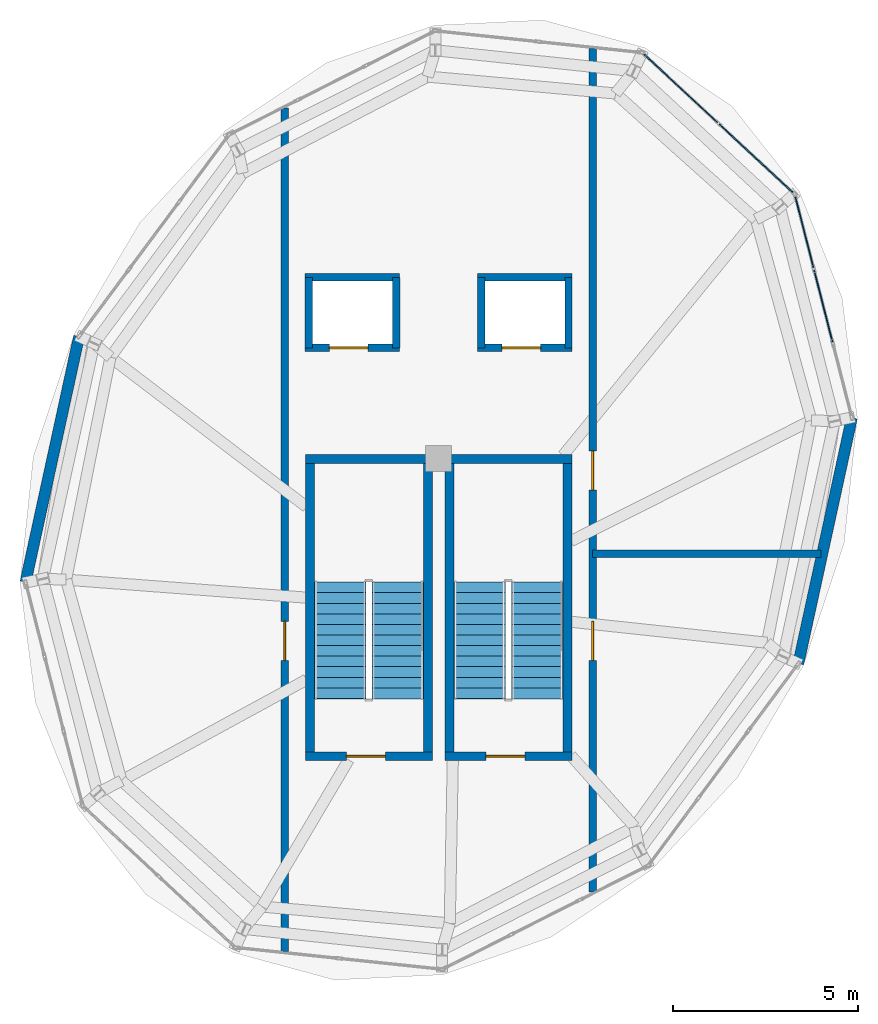
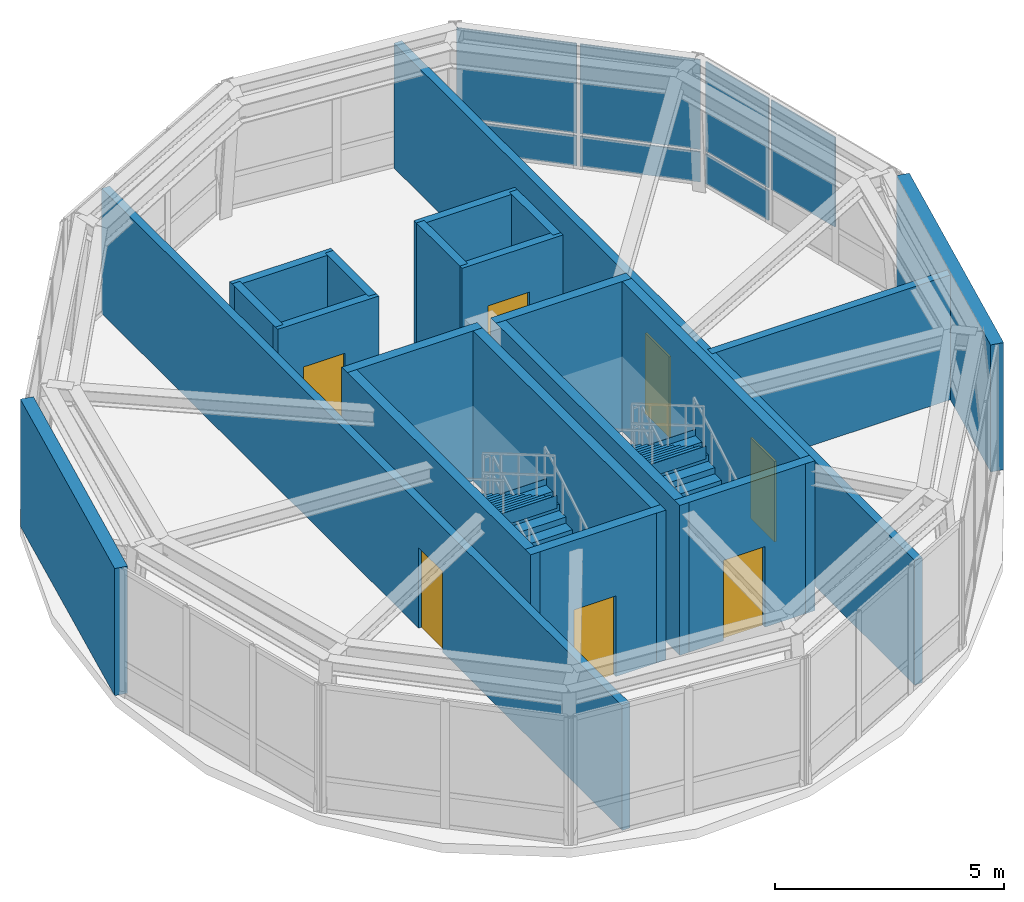
# One storey, part 8 of 9: 21 walls, 7 doors, 7 plates, 4 stair flights, 7 openings, 4 elements without a shape of their own.
"""IFC4 building model written with IfcOpenShell, lengths in metres."""

from ifc_helpers import new_model, si_unit, direction, frame, frame_2d, origin, origin_2d, place, context, subcontext, project, spatial, polyline, rectangle, outline, extrude, material, layer, layer_set, type_object, element, fill, aggregate, save


model = new_model("IFC4")

# Units and contexts
model_context = context("Model", 3, precision=1e-05, world=origin(), true_north=direction((0.0, 1.0)))
body_context = subcontext(model_context, "Body", "Model", "MODEL_VIEW")
ifc_project = project(units=[si_unit("LENGTHUNIT", "METRE"), si_unit("AREAUNIT", "SQUARE_METRE"), si_unit("VOLUMEUNIT", "CUBIC_METRE"), si_unit("PLANEANGLEUNIT", "RADIAN"), si_unit("MASSUNIT", "GRAM", prefix="KILO"), si_unit("THERMODYNAMICTEMPERATUREUNIT", "KELVIN"), si_unit("POWERUNIT", "WATT")], contexts=[model_context])

# Site, building, storey
site_placement = place(None, origin())
site = spatial("IfcSite", under=ifc_project, at=site_placement, CompositionType="ELEMENT")
building_placement = place(site_placement, origin())
building = spatial("IfcBuilding", under=site, at=building_placement, Name="Ocrelia Relay Tower", CompositionType="ELEMENT")
storey_placement = place(building_placement, frame((0.0, 0.0, 300.0)))
storey = spatial("IfcBuildingStorey", under=building, at=storey_placement, Name="L75", CompositionType="ELEMENT", Elevation=300.0)

# Curtain wall, plates
ifc_material_1 = material(Name="Aluminium and solar-control low-E glass", Category="aluminium")
ifc_layer_1 = layer(ifc_material_1, 0.179931640625, Name="Aluminium and solar-control low-E glass")
ifc_layer_set_1 = layer_set([ifc_layer_1], Name="Aluminium and solar-control low-E glass")
curtain_wall_type = type_object("IfcCurtainWallType", Name="CW-SYS-CROWN-PT", PredefinedType="NOTDEFINED", material=ifc_layer_set_1)
curtain_wall_1_placement = place(storey_placement, origin())
curtain_wall_1 = element("IfcCurtainWall", 1, at=curtain_wall_1_placement, inside=storey, type_object=curtain_wall_type, Name="L75 Faceted Glass-Point Crown Curtain Wall 11", PredefinedType="NOTDEFINED")
ifc_material_2 = material(Name="Clear double-glazed low-E glass", Category="glass")
ifc_layer_2 = layer(ifc_material_2, 0.031982421875, Name="Clear double-glazed low-E glass")
ifc_layer_set_2 = layer_set([ifc_layer_2], Name="Clear double-glazed low-E glass")
plate_type = type_object("IfcPlateType", Name="CW-SYS-CROWN-PT-PNL", PredefinedType="CURTAIN_PANEL", material=ifc_layer_set_2)
plate_1_placement = place(storey_placement, frame((44.367431640625, 31.2275390625, 0.932373046875), z_axis=(0.0, 0.0, 1.0), x_axis=(-0.24769012341, 0.968839306988, 0.0)))
plate_1 = element("IfcPlate", 2, at=plate_1_placement, type_object=plate_type, Name="CW-CR panel 2.2", PredefinedType="CURTAIN_PANEL", context=body_context, shape_type="SweptSolid", body=[
    extrude(rectangle(XDim=1.9990234375, YDim=0.031982421875, at=origin_2d()), origin(), (0.0, 0.0, 1.0), 2.392578125),
])
plate_2_placement = place(storey_placement, frame((43.8583984375, 33.218994140625, 0.06494140625), z_axis=(0.0, 0.0, 1.0), x_axis=(-0.24769012341, 0.968839306988, 0.0)))
plate_2 = element("IfcPlate", 3, at=plate_2_placement, type_object=plate_type, Name="CW-CR panel 3.1", PredefinedType="CURTAIN_PANEL", context=body_context, shape_type="SweptSolid", body=[
    extrude(rectangle(XDim=1.961669921875, YDim=0.031982421875, at=origin_2d()), origin(), (0.0, 0.0, 1.0), 0.802490234375),
])
plate_3_placement = place(storey_placement, frame((43.8583984375, 33.218994140625, 0.932373046875), z_axis=(0.0, 0.0, 1.0), x_axis=(-0.24769012341, 0.968839306988, 0.0)))
plate_3 = element("IfcPlate", 4, at=plate_3_placement, type_object=plate_type, Name="CW-CR panel 3.2", PredefinedType="CURTAIN_PANEL", context=body_context, shape_type="SweptSolid", body=[
    extrude(rectangle(XDim=1.961669921875, YDim=0.031982421875, at=origin_2d()), origin(), (0.0, 0.0, 1.0), 2.392578125),
])
aggregate(curtain_wall_1, [plate_1, plate_2, plate_3])

curtain_wall_2_placement = place(storey_placement, origin())
curtain_wall_2 = element("IfcCurtainWall", 5, at=curtain_wall_2_placement, inside=storey, type_object=curtain_wall_type, Name="L75 Faceted Glass-Point Crown Curtain Wall 12", PredefinedType="NOTDEFINED")
plate_4_placement = place(storey_placement, frame((42.554931640625, 35.20947265625, 0.06494140625), z_axis=(0.0, 0.0, 1.0), x_axis=(-0.732698940266, 0.680552909724, 0.0)))
plate_4 = element("IfcPlate", 6, at=plate_4_placement, type_object=plate_type, Name="CW-CR panel 1.1", PredefinedType="CURTAIN_PANEL", context=body_context, shape_type="SweptSolid", body=[
    extrude(rectangle(XDim=2.694091796875, YDim=0.031982421875, at=origin_2d()), origin(), (0.0, 0.0, 1.0), 0.802490234375),
])
plate_5_placement = place(storey_placement, frame((42.554931640625, 35.20947265625, 0.932373046875), z_axis=(0.0, 0.0, 1.0), x_axis=(-0.732698940266, 0.680552909724, 0.0)))
plate_5 = element("IfcPlate", 7, at=plate_5_placement, type_object=plate_type, Name="CW-CR panel 1.2", PredefinedType="CURTAIN_PANEL", context=body_context, shape_type="SweptSolid", body=[
    extrude(rectangle(XDim=2.694091796875, YDim=0.031982421875, at=origin_2d()), origin(), (0.0, 0.0, 1.0), 2.392578125),
])
plate_6_placement = place(storey_placement, frame((40.526123046875, 37.093994140625, 0.06494140625), z_axis=(0.0, 0.0, 1.0), x_axis=(-0.732698940266, 0.680552909724, 0.0)))
plate_6 = element("IfcPlate", 8, at=plate_6_placement, type_object=plate_type, Name="CW-CR panel 2.1", PredefinedType="CURTAIN_PANEL", context=body_context, shape_type="SweptSolid", body=[
    extrude(rectangle(XDim=2.694091796875, YDim=0.031982421875, at=origin_2d()), origin(), (0.0, 0.0, 1.0), 0.802490234375),
])
plate_7_placement = place(storey_placement, frame((40.526123046875, 37.093994140625, 0.932373046875), z_axis=(0.0, 0.0, 1.0), x_axis=(-0.732698940266, 0.680552909724, 0.0)))
plate_7 = element("IfcPlate", 9, at=plate_7_placement, type_object=plate_type, Name="CW-CR panel 2.2", PredefinedType="CURTAIN_PANEL", context=body_context, shape_type="SweptSolid", body=[
    extrude(rectangle(XDim=2.694091796875, YDim=0.031982421875, at=origin_2d()), origin(), (0.0, 0.0, 1.0), 2.392578125),
])
aggregate(curtain_wall_2, [plate_4, plate_5, plate_6, plate_7])

# Wall, opening, door
ifc_material_3 = material(Name="Concrete C50/60", Category="concrete")
ifc_layer_3 = layer(ifc_material_3, 0.239990234375, Name="Concrete C50/60")
ifc_layer_set_3 = layer_set([ifc_layer_3], Name="Concrete C50/60")
wall_type_1 = type_object("IfcWallType", Name="CW-STAIR-240", PredefinedType="SHEAR", material=ifc_layer_set_3)
wall_1_placement = place(storey_placement, frame((30.412109375, 19.092041015625, 0.0), z_axis=(0.0, 0.0, 1.0), x_axis=(1.0, 0.0, 0.0)))
wall_1 = element("IfcWall", 10, at=wall_1_placement, inside=storey, type_object=wall_type_1, Name="L75 ST4 Structural Shaft S Wall", PredefinedType="SHEAR", context=body_context, shape_type="SweptSolid", body=[
    extrude(rectangle(XDim=3.415771484375, YDim=0.239990234375, at=frame_2d((1.7080078125, 0.0))), origin(), (0.0, 0.0, 1.0), 4.0),
])
opening_1_placement = place(wall_1_placement, frame((1.10009765625, 0.0, 0.0)))
opening_1 = element("IfcOpeningElement", 11, at=opening_1_placement, cuts=wall_1, Name="Opening D-FD90", PredefinedType="OPENING", context=body_context, shape_type="SweptSolid", body=[
    extrude(rectangle(XDim=1.050048828125, YDim=2.14990234375, at=frame_2d((0.52490234375, 1.074951171875))), frame((0.0, 0.1298828125, 0.0), z_axis=(0.0, -1.0, 0.0), x_axis=(1.0, 0.0, 0.0)), (0.0, 0.0, 1.0), 0.260009765625),
])
ifc_material_4 = material(Name="Steel S355 90-min fire door", Category="steel")
door_type_1 = type_object("IfcDoorType", Name="DR-STAIR-FD90-1050", OperationType="NOTDEFINED", PredefinedType="DOOR", material=ifc_material_4)
door_1_placement = place(opening_1_placement, origin())
door_1 = element("IfcDoor", 12, at=door_1_placement, inside=storey, type_object=door_type_1, Name="L75 Crown Stair ST4 Fire Door", OperationType="SINGLE_SWING_LEFT", OverallHeight=2.14990234375, OverallWidth=1.050048828125, PredefinedType="DOOR", context=body_context, shape_type="SweptSolid", body=[
    extrude(rectangle(XDim=1.050048828125, YDim=2.14990234375, at=frame_2d((0.52490234375, 1.074951171875))), frame((0.0, 0.02490234375, 0.0), z_axis=(0.0, -1.0, 0.0), x_axis=(1.0, 0.0, 0.0)), (0.0, 0.0, 1.0), 0.050048828125),
])
fill(opening_1, door_1)

# Walls
wall_2_placement = place(storey_placement, frame((30.412109375, 27.10791015625, 0.0), z_axis=(0.0, 0.0, 1.0), x_axis=(1.0, 0.0, 0.0)))
element("IfcWall", 13, at=wall_2_placement, inside=storey, type_object=wall_type_1, Name="L75 ST4 Structural Shaft N Wall", PredefinedType="SHEAR", context=body_context, shape_type="SweptSolid", body=[
    extrude(rectangle(XDim=3.415771484375, YDim=0.239990234375, at=frame_2d((1.7080078125, 0.0))), origin(), (0.0, 0.0, 1.0), 4.0),
])
for number, where, z_axis, x_axis, name in (
    (14, (30.531982421875, 18.971923828125, 0.0), (0.0, 0.0, 1.0), (0.0, 1.0, 0.0), "L75 ST4 Structural Shaft W Wall"),
    (15, (33.7080078125, 18.971923828125, 0.0), (0.0, 0.0, 1.0), (0.0, 1.0, 0.0), "L75 ST4 Structural Shaft E Wall"),
):
    element("IfcWall", number, at=place(storey_placement, frame(where, z_axis=z_axis, x_axis=x_axis)), inside=storey, type_object=wall_type_1, Name=name, PredefinedType="SHEAR", context=body_context, shape_type="SweptSolid", body=[
        extrude(rectangle(XDim=8.256103515625, YDim=0.239990234375, at=frame_2d((4.1279296875, 0.0))), origin(), (0.0, 0.0, 1.0), 4.0),
    ])

# Wall, opening, door
wall_3_placement = place(storey_placement, frame((34.172119140625, 19.092041015625, 0.0), z_axis=(0.0, 0.0, 1.0), x_axis=(1.0, 0.0, 0.0)))
wall_3 = element("IfcWall", 16, at=wall_3_placement, inside=storey, type_object=wall_type_1, Name="L75 ST5 Structural Shaft S Wall", PredefinedType="SHEAR", context=body_context, shape_type="SweptSolid", body=[
    extrude(rectangle(XDim=3.415771484375, YDim=0.239990234375, at=frame_2d((1.7080078125, 0.0))), origin(), (0.0, 0.0, 1.0), 4.0),
])
opening_2_placement = place(wall_3_placement, frame((1.10009765625, 0.0, 0.0)))
opening_2 = element("IfcOpeningElement", 17, at=opening_2_placement, cuts=wall_3, Name="Opening D-FD90", PredefinedType="OPENING", context=body_context, shape_type="SweptSolid", body=[
    extrude(rectangle(XDim=1.050048828125, YDim=2.14990234375, at=frame_2d((0.52490234375, 1.074951171875))), frame((0.0, 0.1298828125, 0.0), z_axis=(0.0, -1.0, 0.0), x_axis=(1.0, 0.0, 0.0)), (0.0, 0.0, 1.0), 0.260009765625),
])
door_2_placement = place(opening_2_placement, origin())
door_2 = element("IfcDoor", 18, at=door_2_placement, inside=storey, type_object=door_type_1, Name="L75 Crown Stair ST5 Fire Door", OperationType="SINGLE_SWING_RIGHT", OverallHeight=2.14990234375, OverallWidth=1.050048828125, PredefinedType="DOOR", context=body_context, shape_type="SweptSolid", body=[
    extrude(rectangle(XDim=1.050048828125, YDim=2.14990234375, at=frame_2d((0.52490234375, 1.074951171875))), frame((0.0, 0.02490234375, 0.0), z_axis=(0.0, -1.0, 0.0), x_axis=(1.0, 0.0, 0.0)), (0.0, 0.0, 1.0), 0.050048828125),
])
fill(opening_2, door_2)

# Walls
wall_4_placement = place(storey_placement, frame((34.172119140625, 27.10791015625, 0.0), z_axis=(0.0, 0.0, 1.0), x_axis=(1.0, 0.0, 0.0)))
element("IfcWall", 19, at=wall_4_placement, inside=storey, type_object=wall_type_1, Name="L75 ST5 Structural Shaft N Wall", PredefinedType="SHEAR", context=body_context, shape_type="SweptSolid", body=[
    extrude(rectangle(XDim=3.415771484375, YDim=0.239990234375, at=frame_2d((1.7080078125, 0.0))), origin(), (0.0, 0.0, 1.0), 4.0),
])
for number, where, z_axis, x_axis, name in (
    (20, (34.2919921875, 18.971923828125, 0.0), (0.0, 0.0, 1.0), (0.0, 1.0, 0.0), "L75 ST5 Structural Shaft W Wall"),
    (21, (37.468017578125, 18.971923828125, 0.0), (0.0, 0.0, 1.0), (0.0, 1.0, 0.0), "L75 ST5 Structural Shaft E Wall"),
):
    element("IfcWall", number, at=place(storey_placement, frame(where, z_axis=z_axis, x_axis=x_axis)), inside=storey, type_object=wall_type_1, Name=name, PredefinedType="SHEAR", context=body_context, shape_type="SweptSolid", body=[
        extrude(rectangle(XDim=8.256103515625, YDim=0.239990234375, at=frame_2d((4.1279296875, 0.0))), origin(), (0.0, 0.0, 1.0), 4.0),
    ])
ifc_material_5 = material(Name="Precast concrete C40/50 with oxide terracotta", Category="masonry")
ifc_layer_4 = layer(ifc_material_5, 0.300048828125, Name="Precast concrete C40/50 with oxide terracotta")
ifc_layer_set_4 = layer_set([ifc_layer_4], Name="Precast concrete C40/50 with oxide terracotta")
wall_type_2 = type_object("IfcWallType", Name="W-EXT-TERR-300", PredefinedType="SOLIDWALL", material=ifc_layer_set_4)
for number, where, z_axis, x_axis, name in (
    (22, (24.30517578125, 30.407958984375, 0.0), (0.0, 0.0, 1.0), (-0.21298449836, -0.97705557849, 0.0), "L75 Crown Braced Terracotta Spine Wall 04"),
    (23, (43.69482421875, 21.592041015625, 0.0), (0.0, 0.0, 1.0), (0.21298449836, 0.97705557849, 0.0), "L75 Crown Braced Terracotta Spine Wall 10"),
):
    element("IfcWall", number, at=place(storey_placement, frame(where, z_axis=z_axis, x_axis=x_axis)), inside=storey, type_object=wall_type_2, Name=name, PredefinedType="SOLIDWALL", context=body_context, shape_type="SweptSolid", body=[
        extrude(rectangle(XDim=6.77685546875, YDim=0.300048828125, at=frame_2d((3.388427734375, 0.0))), origin(), (0.0, 0.0, 1.0), 3.389892578125),
    ])

# Wall, opening, door
ifc_layer_5 = layer(ifc_material_3, 0.199951171875, Name="Concrete C50/60")
ifc_layer_set_5 = layer_set([ifc_layer_5], Name="Concrete C50/60")
wall_type_3 = type_object("IfcWallType", Name="W-SHAFT-EI120-200", PredefinedType="SOLIDWALL", material=ifc_layer_set_5)
wall_5_placement = place(storey_placement, frame((30.39990234375, 30.10009765625, 0.0), z_axis=(0.0, 0.0, 1.0), x_axis=(1.0, 0.0, 0.0)))
wall_5 = element("IfcWall", 24, at=wall_5_placement, inside=storey, type_object=wall_type_3, Name="L75 FFL1 South Wall", PredefinedType="SOLIDWALL", context=body_context, shape_type="SweptSolid", body=[
    extrude(rectangle(XDim=2.550048828125, YDim=0.199951171875, at=frame_2d((1.27490234375, 0.0))), origin(), (0.0, 0.0, 1.0), 3.330078125),
])
opening_3_placement = place(wall_5_placement, frame((0.64990234375, 0.0, 0.0)))
opening_3 = element("IfcOpeningElement", 25, at=opening_3_placement, cuts=wall_5, Name="Opening LD-FFL1", PredefinedType="OPENING", context=body_context, shape_type="SweptSolid", body=[
    extrude(rectangle(XDim=1.050048828125, YDim=2.10009765625, at=frame_2d((0.52490234375, 1.050048828125))), frame((0.0, 0.10986328125, 0.0), z_axis=(0.0, -1.0, 0.0), x_axis=(1.0, 0.0, 0.0)), (0.0, 0.0, 1.0), 0.219970703125),
])
ifc_material_6 = material(Name="Brushed stainless steel S355 lift landing door", Category="steel")
door_type_2 = type_object("IfcDoorType", Name="DR-LIFT-LAND-1050", OperationType="DOUBLE_DOOR_SLIDING", PredefinedType="USERDEFINED", material=ifc_material_6)
door_3_placement = place(opening_3_placement, origin())
door_3 = element("IfcDoor", 26, at=door_3_placement, inside=storey, type_object=door_type_2, Name="L75 FFL1 Sliding Landing Door", ObjectType="LANDING DOOR", OperationType="DOUBLE_DOOR_SLIDING", OverallHeight=2.10009765625, OverallWidth=1.050048828125, PredefinedType="USERDEFINED", context=body_context, shape_type="SweptSolid", body=[
    extrude(rectangle(XDim=1.050048828125, YDim=2.10009765625, at=frame_2d((0.52490234375, 1.050048828125))), frame((0.0, 0.02490234375, 0.0), z_axis=(0.0, -1.0, 0.0), x_axis=(1.0, 0.0, 0.0)), (0.0, 0.0, 1.0), 0.050048828125),
])
fill(opening_3, door_3)

# Walls
wall_6_placement = place(storey_placement, frame((30.39990234375, 32.0, 0.0), z_axis=(0.0, 0.0, 1.0), x_axis=(1.0, 0.0, 0.0)))
element("IfcWall", 27, at=wall_6_placement, inside=storey, type_object=wall_type_3, Name="L75 FFL1 N Wall", PredefinedType="SOLIDWALL", context=body_context, shape_type="SweptSolid", body=[
    extrude(rectangle(XDim=2.550048828125, YDim=0.199951171875, at=frame_2d((1.27490234375, 0.0))), origin(), (0.0, 0.0, 1.0), 3.330078125),
])
for number, where, z_axis, x_axis, name in (
    (28, (30.5, 30.10009765625, 0.0), (0.0, 0.0, 1.0), (0.0, 1.0, 0.0), "L75 FFL1 W Wall"),
    (29, (32.85009765625, 30.10009765625, 0.0), (0.0, 0.0, 1.0), (0.0, 1.0, 0.0), "L75 FFL1 E Wall"),
):
    element("IfcWall", number, at=place(storey_placement, frame(where, z_axis=z_axis, x_axis=x_axis)), inside=storey, type_object=wall_type_3, Name=name, PredefinedType="SOLIDWALL", context=body_context, shape_type="SweptSolid", body=[
        extrude(rectangle(XDim=1.89990234375, YDim=0.199951171875, at=frame_2d((0.949951171875, 0.0))), origin(), (0.0, 0.0, 1.0), 3.330078125),
    ])

# Wall, opening, door
wall_7_placement = place(storey_placement, frame((35.050048828125, 30.10009765625, 0.0), z_axis=(0.0, 0.0, 1.0), x_axis=(1.0, 0.0, 0.0)))
wall_7 = element("IfcWall", 30, at=wall_7_placement, inside=storey, type_object=wall_type_3, Name="L75 FFL2 South Wall", PredefinedType="SOLIDWALL", context=body_context, shape_type="SweptSolid", body=[
    extrude(rectangle(XDim=2.550048828125, YDim=0.199951171875, at=frame_2d((1.27490234375, 0.0))), origin(), (0.0, 0.0, 1.0), 3.330078125),
])
opening_4_placement = place(wall_7_placement, frame((0.64990234375, 0.0, 0.0)))
opening_4 = element("IfcOpeningElement", 31, at=opening_4_placement, cuts=wall_7, Name="Opening LD-FFL2", PredefinedType="OPENING", context=body_context, shape_type="SweptSolid", body=[
    extrude(rectangle(XDim=1.050048828125, YDim=2.10009765625, at=frame_2d((0.52490234375, 1.050048828125))), frame((0.0, 0.10986328125, 0.0), z_axis=(0.0, -1.0, 0.0), x_axis=(1.0, 0.0, 0.0)), (0.0, 0.0, 1.0), 0.219970703125),
])
door_4_placement = place(opening_4_placement, origin())
door_4 = element("IfcDoor", 32, at=door_4_placement, inside=storey, type_object=door_type_2, Name="L75 FFL2 Sliding Landing Door", ObjectType="LANDING DOOR", OperationType="DOUBLE_DOOR_SLIDING", OverallHeight=2.10009765625, OverallWidth=1.050048828125, PredefinedType="USERDEFINED", context=body_context, shape_type="SweptSolid", body=[
    extrude(rectangle(XDim=1.050048828125, YDim=2.10009765625, at=frame_2d((0.52490234375, 1.050048828125))), frame((0.0, 0.02490234375, 0.0), z_axis=(0.0, -1.0, 0.0), x_axis=(1.0, 0.0, 0.0)), (0.0, 0.0, 1.0), 0.050048828125),
])
fill(opening_4, door_4)

# Walls
wall_8_placement = place(storey_placement, frame((35.050048828125, 32.0, 0.0), z_axis=(0.0, 0.0, 1.0), x_axis=(1.0, 0.0, 0.0)))
element("IfcWall", 33, at=wall_8_placement, inside=storey, type_object=wall_type_3, Name="L75 FFL2 N Wall", PredefinedType="SOLIDWALL", context=body_context, shape_type="SweptSolid", body=[
    extrude(rectangle(XDim=2.550048828125, YDim=0.199951171875, at=frame_2d((1.27490234375, 0.0))), origin(), (0.0, 0.0, 1.0), 3.330078125),
])
for number, where, z_axis, x_axis, name in (
    (34, (35.14990234375, 30.10009765625, 0.0), (0.0, 0.0, 1.0), (0.0, 1.0, 0.0), "L75 FFL2 W Wall"),
    (35, (37.5, 30.10009765625, 0.0), (0.0, 0.0, 1.0), (0.0, 1.0, 0.0), "L75 FFL2 E Wall"),
):
    element("IfcWall", number, at=place(storey_placement, frame(where, z_axis=z_axis, x_axis=x_axis)), inside=storey, type_object=wall_type_3, Name=name, PredefinedType="SOLIDWALL", context=body_context, shape_type="SweptSolid", body=[
        extrude(rectangle(XDim=1.89990234375, YDim=0.199951171875, at=frame_2d((0.949951171875, 0.0))), origin(), (0.0, 0.0, 1.0), 3.330078125),
    ])

# Wall, opening, door
wall_9_placement = place(storey_placement, frame((29.85009765625, 13.826416015625, 0.0), z_axis=(0.0, 0.0, 1.0), x_axis=(0.0, 1.0, 0.0)))
wall_9 = element("IfcWall", 36, at=wall_9_placement, inside=storey, type_object=wall_type_3, Name="L75 Crown Lobby West Wall", PredefinedType="SOLIDWALL", context=body_context, shape_type="SweptSolid", body=[
    extrude(rectangle(XDim=22.74755859375, YDim=0.199951171875, at=frame_2d((11.373779296875, 0.0))), origin(), (0.0, 0.0, 1.0), 3.330078125),
])
opening_5_placement = place(wall_9_placement, frame((7.848388671875, 0.0, 0.0)))
opening_5 = element("IfcOpeningElement", 37, at=opening_5_placement, cuts=wall_9, Name="Opening D-FD90", PredefinedType="OPENING", context=body_context, shape_type="SweptSolid", body=[
    extrude(rectangle(XDim=1.050048828125, YDim=2.14990234375, at=frame_2d((0.52490234375, 1.074951171875))), frame((0.0, 0.10986328125, 0.0), z_axis=(0.0, -1.0, 0.0), x_axis=(1.0, 0.0, 0.0)), (0.0, 0.0, 1.0), 0.219970703125),
])
door_5_placement = place(opening_5_placement, origin())
door_5 = element("IfcDoor", 38, at=door_5_placement, inside=storey, type_object=door_type_1, Name="L75 West Chiller Plant Door", OperationType="SINGLE_SWING_LEFT", OverallHeight=2.14990234375, OverallWidth=1.050048828125, PredefinedType="DOOR", context=body_context, shape_type="SweptSolid", body=[
    extrude(rectangle(XDim=1.050048828125, YDim=2.14990234375, at=frame_2d((0.52490234375, 1.074951171875))), frame((0.0, 0.02490234375, 0.0), z_axis=(0.0, -1.0, 0.0), x_axis=(1.0, 0.0, 0.0)), (0.0, 0.0, 1.0), 0.050048828125),
])
fill(opening_5, door_5)

# Wall, openings, doors
wall_10_placement = place(storey_placement, frame((38.14990234375, 15.426025390625, 0.0), z_axis=(0.0, 0.0, 1.0), x_axis=(0.0, 1.0, 0.0)))
wall_10 = element("IfcWall", 39, at=wall_10_placement, inside=storey, type_object=wall_type_3, Name="L75 Crown Lobby East Wall", PredefinedType="SOLIDWALL", context=body_context, shape_type="SweptSolid", body=[
    extrude(rectangle(XDim=22.74755859375, YDim=0.199951171875, at=frame_2d((11.373779296875, 0.0))), origin(), (0.0, 0.0, 1.0), 3.330078125),
])
opening_6_placement = place(wall_10_placement, frame((6.2490234375, 0.0, 0.0)))
opening_6 = element("IfcOpeningElement", 40, at=opening_6_placement, cuts=wall_10, Name="Opening D-FD90", PredefinedType="OPENING", context=body_context, shape_type="SweptSolid", body=[
    extrude(rectangle(XDim=1.050048828125, YDim=2.14990234375, at=frame_2d((0.52490234375, 1.074951171875))), frame((0.0, 0.10986328125, 0.0), z_axis=(0.0, -1.0, 0.0), x_axis=(1.0, 0.0, 0.0)), (0.0, 0.0, 1.0), 0.219970703125),
])
opening_7_placement = place(wall_10_placement, frame((10.84912109375, 0.0, 0.0)))
opening_7 = element("IfcOpeningElement", 41, at=opening_7_placement, cuts=wall_10, Name="Opening D-FD90", PredefinedType="OPENING", context=body_context, shape_type="SweptSolid", body=[
    extrude(rectangle(XDim=1.050048828125, YDim=2.14990234375, at=frame_2d((0.52490234375, 1.074951171875))), frame((0.0, 0.10986328125, 0.0), z_axis=(0.0, -1.0, 0.0), x_axis=(1.0, 0.0, 0.0)), (0.0, 0.0, 1.0), 0.219970703125),
])
door_6_placement = place(opening_6_placement, origin())
door_6 = element("IfcDoor", 42, at=door_6_placement, inside=storey, type_object=door_type_1, Name="L75 East Switchgear Plant Door", OperationType="SINGLE_SWING_RIGHT", OverallHeight=2.14990234375, OverallWidth=1.050048828125, PredefinedType="DOOR", context=body_context, shape_type="SweptSolid", body=[
    extrude(rectangle(XDim=1.050048828125, YDim=2.14990234375, at=frame_2d((0.52490234375, 1.074951171875))), frame((0.0, 0.02490234375, 0.0), z_axis=(0.0, -1.0, 0.0), x_axis=(1.0, 0.0, 0.0)), (0.0, 0.0, 1.0), 0.050048828125),
])
fill(opening_6, door_6)
door_7_placement = place(opening_7_placement, origin())
door_7 = element("IfcDoor", 43, at=door_7_placement, inside=storey, type_object=door_type_1, Name="L75 Waveguide Pressurisation Plant Door", OperationType="SINGLE_SWING_LEFT", OverallHeight=2.14990234375, OverallWidth=1.050048828125, PredefinedType="DOOR", context=body_context, shape_type="SweptSolid", body=[
    extrude(rectangle(XDim=1.050048828125, YDim=2.14990234375, at=frame_2d((0.52490234375, 1.074951171875))), frame((0.0, 0.02490234375, 0.0), z_axis=(0.0, -1.0, 0.0), x_axis=(1.0, 0.0, 0.0)), (0.0, 0.0, 1.0), 0.050048828125),
])
fill(opening_7, door_7)

# Wall
wall_11_placement = place(storey_placement, frame((38.14990234375, 24.550048828125, 0.0), z_axis=(0.0, 0.0, 1.0), x_axis=(1.0, 0.0, 0.0)))
element("IfcWall", 44, at=wall_11_placement, inside=storey, type_object=wall_type_3, Name="L75 East Waveguide Plant Partition", PredefinedType="SOLIDWALL", context=body_context, shape_type="SweptSolid", body=[
    extrude(rectangle(XDim=6.16015625, YDim=0.199951171875, at=frame_2d((3.080078125, 0.0))), origin(), (0.0, 0.0, 1.0), 3.330078125),
])

# Stair, stair flights
stair_type = type_object("IfcStairType", Name="ST-DL-1400-R167", PredefinedType="HALF_TURN_STAIR", material=ifc_material_3)
stair_1_placement = place(storey_placement, origin())
stair_1 = element("IfcStair", 45, at=stair_1_placement, inside=storey, type_object=stair_type, Name="L75 Crown North-West Stair ST4", PredefinedType="HALF_TURN_STAIR")
stair_flight_type = type_object("IfcStairFlightType", Name="STF-DL-1400-R167", PredefinedType="STRAIGHT", material=ifc_material_3)
stair_flight_1_placement = place(storey_placement, frame((32.89990234375, 20.64990234375, 0.0), z_axis=(0.0, 0.0, 1.0), x_axis=(0.0, 1.0, 0.0)))
stair_flight_1 = element("IfcStairFlight", 46, at=stair_flight_1_placement, type_object=stair_flight_type, Name="ST4 flight 1", NumberOfRisers=12, NumberOfTreads=11, PredefinedType="STRAIGHT", RiserHeight=0.166666667, TreadLength=0.285, context=body_context, shape_type="SweptSolid", body=[
    extrude(outline(polyline([(-0.008056640625, 0.0), (-0.008056640625, 0.166748046875), (0.0, 0.166748046875), (0.284912109375, 0.166748046875), (0.284912109375, 0.333251953125), (0.570068359375, 0.333251953125), (0.570068359375, 0.5), (0.85498046875, 0.5), (0.85498046875, 0.666748046875), (1.139892578125, 0.666748046875), (1.139892578125, 0.833251953125), (1.425048828125, 0.833251953125), (1.425048828125, 1.0), (1.7099609375, 1.0), (1.7099609375, 1.166748046875), (1.9951171875, 1.166748046875), (1.9951171875, 1.333251953125), (2.280029296875, 1.333251953125), (2.280029296875, 1.5), (2.56494140625, 1.5), (2.56494140625, 1.666748046875), (2.85009765625, 1.666748046875), (2.85009765625, 1.833251953125), (3.135009765625, 1.833251953125), (3.135009765625, 2.0), (3.14306640625, 2.0), (3.14306640625, 1.65966796875), (0.296875, 0.0), (-0.008056640625, 0.0)])), frame((0.0, 0.699951171875, 0.0), z_axis=(0.0, -1.0, 0.0), x_axis=(1.0, 0.0, 0.0)), (0.0, 0.0, 1.0), 1.39990234375),
])
stair_flight_2_placement = place(storey_placement, frame((31.340087890625, 23.784912109375, 2.0), z_axis=(0.0, 0.0, 1.0), x_axis=(0.0, -1.0, 0.0)))
stair_flight_2 = element("IfcStairFlight", 47, at=stair_flight_2_placement, type_object=stair_flight_type, Name="ST4 flight 2", NumberOfRisers=12, NumberOfTreads=11, PredefinedType="STRAIGHT", RiserHeight=0.166666667, TreadLength=0.285, context=body_context, shape_type="SweptSolid", body=[
    extrude(outline(polyline([(-0.008056640625, 0.0), (-0.008056640625, 0.166748046875), (0.0, 0.166748046875), (0.284912109375, 0.166748046875), (0.284912109375, 0.333251953125), (0.570068359375, 0.333251953125), (0.570068359375, 0.5), (0.85498046875, 0.5), (0.85498046875, 0.666748046875), (1.139892578125, 0.666748046875), (1.139892578125, 0.833251953125), (1.425048828125, 0.833251953125), (1.425048828125, 1.0), (1.7099609375, 1.0), (1.7099609375, 1.166748046875), (1.9951171875, 1.166748046875), (1.9951171875, 1.333251953125), (2.280029296875, 1.333251953125), (2.280029296875, 1.5), (2.56494140625, 1.5), (2.56494140625, 1.666748046875), (2.85009765625, 1.666748046875), (2.85009765625, 1.833251953125), (3.135009765625, 1.833251953125), (3.135009765625, 2.0), (3.14306640625, 2.0), (3.14306640625, 1.65966796875), (0.296875, 0.0), (-0.008056640625, 0.0)])), frame((0.0, 0.699951171875, 0.0), z_axis=(0.0, -1.0, 0.0), x_axis=(1.0, 0.0, 0.0)), (0.0, 0.0, 1.0), 1.39990234375),
])
aggregate(stair_1, [stair_flight_1, stair_flight_2])

stair_2_placement = place(storey_placement, origin())
stair_2 = element("IfcStair", 48, at=stair_2_placement, inside=storey, type_object=stair_type, Name="L75 Crown North-East Stair ST5", PredefinedType="HALF_TURN_STAIR")
stair_flight_3_placement = place(storey_placement, frame((36.659912109375, 20.64990234375, 0.0), z_axis=(0.0, 0.0, 1.0), x_axis=(0.0, 1.0, 0.0)))
stair_flight_3 = element("IfcStairFlight", 49, at=stair_flight_3_placement, type_object=stair_flight_type, Name="ST5 flight 1", NumberOfRisers=12, NumberOfTreads=11, PredefinedType="STRAIGHT", RiserHeight=0.166666667, TreadLength=0.285, context=body_context, shape_type="SweptSolid", body=[
    extrude(outline(polyline([(-0.008056640625, 0.0), (-0.008056640625, 0.166748046875), (0.0, 0.166748046875), (0.284912109375, 0.166748046875), (0.284912109375, 0.333251953125), (0.570068359375, 0.333251953125), (0.570068359375, 0.5), (0.85498046875, 0.5), (0.85498046875, 0.666748046875), (1.139892578125, 0.666748046875), (1.139892578125, 0.833251953125), (1.425048828125, 0.833251953125), (1.425048828125, 1.0), (1.7099609375, 1.0), (1.7099609375, 1.166748046875), (1.9951171875, 1.166748046875), (1.9951171875, 1.333251953125), (2.280029296875, 1.333251953125), (2.280029296875, 1.5), (2.56494140625, 1.5), (2.56494140625, 1.666748046875), (2.85009765625, 1.666748046875), (2.85009765625, 1.833251953125), (3.135009765625, 1.833251953125), (3.135009765625, 2.0), (3.14306640625, 2.0), (3.14306640625, 1.65966796875), (0.296875, 0.0), (-0.008056640625, 0.0)])), frame((0.0, 0.699951171875, 0.0), z_axis=(0.0, -1.0, 0.0), x_axis=(1.0, 0.0, 0.0)), (0.0, 0.0, 1.0), 1.39990234375),
])
stair_flight_4_placement = place(storey_placement, frame((35.10009765625, 23.784912109375, 2.0), z_axis=(0.0, 0.0, 1.0), x_axis=(0.0, -1.0, 0.0)))
stair_flight_4 = element("IfcStairFlight", 50, at=stair_flight_4_placement, type_object=stair_flight_type, Name="ST5 flight 2", NumberOfRisers=12, NumberOfTreads=11, PredefinedType="STRAIGHT", RiserHeight=0.166666667, TreadLength=0.285, context=body_context, shape_type="SweptSolid", body=[
    extrude(outline(polyline([(-0.008056640625, 0.0), (-0.008056640625, 0.166748046875), (0.0, 0.166748046875), (0.284912109375, 0.166748046875), (0.284912109375, 0.333251953125), (0.570068359375, 0.333251953125), (0.570068359375, 0.5), (0.85498046875, 0.5), (0.85498046875, 0.666748046875), (1.139892578125, 0.666748046875), (1.139892578125, 0.833251953125), (1.425048828125, 0.833251953125), (1.425048828125, 1.0), (1.7099609375, 1.0), (1.7099609375, 1.166748046875), (1.9951171875, 1.166748046875), (1.9951171875, 1.333251953125), (2.280029296875, 1.333251953125), (2.280029296875, 1.5), (2.56494140625, 1.5), (2.56494140625, 1.666748046875), (2.85009765625, 1.666748046875), (2.85009765625, 1.833251953125), (3.135009765625, 1.833251953125), (3.135009765625, 2.0), (3.14306640625, 2.0), (3.14306640625, 1.65966796875), (0.296875, 0.0), (-0.008056640625, 0.0)])), frame((0.0, 0.699951171875, 0.0), z_axis=(0.0, -1.0, 0.0), x_axis=(1.0, 0.0, 0.0)), (0.0, 0.0, 1.0), 1.39990234375),
])
aggregate(stair_2, [stair_flight_3, stair_flight_4])

save(model, "model.ifc")
